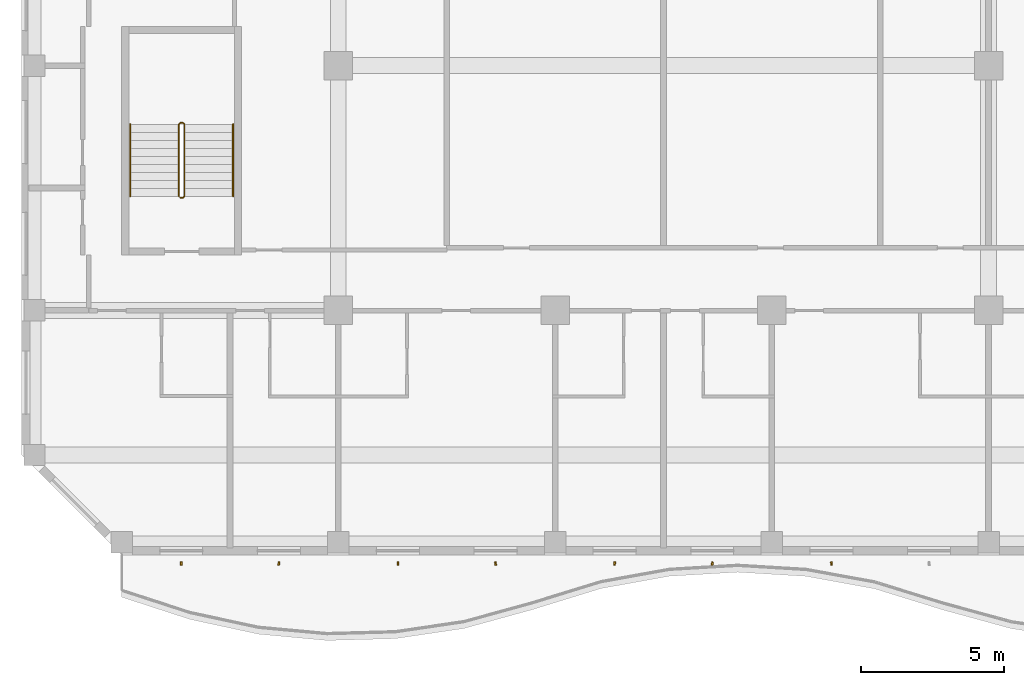
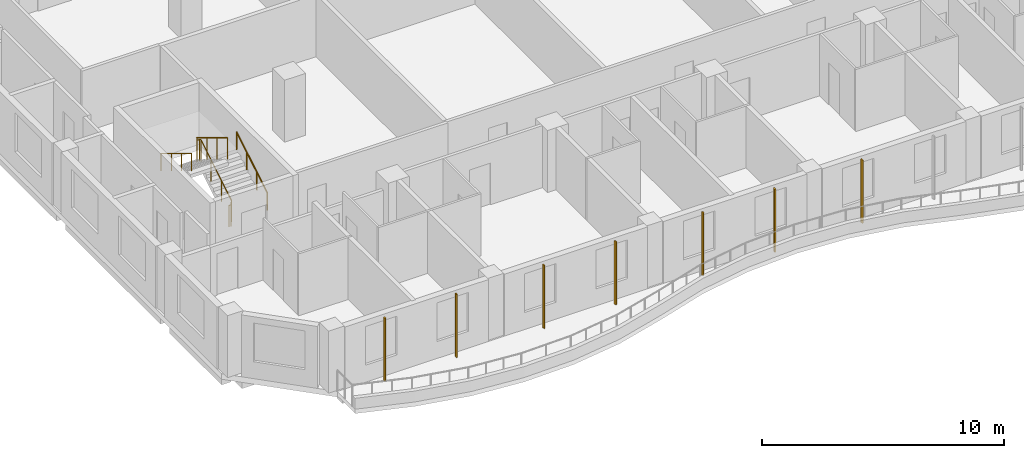
# One storey, part 14 of 22: 7 shading devices, 3 railings.
"""IFC4 building model written with IfcOpenShell, lengths in metres."""

import ifcopenshell
import ifcopenshell.guid

model = None  # the IFC model being written
_history = None  # IfcOwnerHistory: only IFC2X3 demands one
_inside = {}  # id of a spatial element -> (the spatial element, [elements in it])
_under = {}  # id of a project, library or spatial element -> (it, [spatial elements below it])
_declared = {}  # id of a project -> (the project, [libraries it declares])
_typed = {}  # id of a type object -> (the type object, [elements of that type])
_made_of = {}  # id of a material, layer set ... -> (it, [elements and type objects made of it])


def new_model(schema):
    """Start an empty IFC model of exactly this schema.

    Asked for "IFC4X3", IfcOpenShell would pick the latest addendum, in which some entities
    have other attributes; the version numbers below select the first issue.
    IFC2X3 requires an IfcOwnerHistory on every rooted entity: one is made here for all.
    """
    global model, _history
    if schema == "IFC4X3":
        model = ifcopenshell.file(schema_version=(4, 3, 0, 0))
    else:
        model = ifcopenshell.file(schema=schema)
    _inside.clear()
    _under.clear()
    _declared.clear()
    _typed.clear()
    _made_of.clear()
    _history = None
    if model.schema == "IFC2X3":
        org = make("IfcOrganization", Name="unknown")
        user = make(
            "IfcPersonAndOrganization",
            ThePerson=make("IfcPerson", FamilyName="unknown"),
            TheOrganization=org,
        )
        app = make(
            "IfcApplication",
            ApplicationDeveloper=org,
            Version="unknown",
            ApplicationFullName="unknown",
            ApplicationIdentifier="unknown",
        )
        _history = make(
            "IfcOwnerHistory",
            OwningUser=user,
            OwningApplication=app,
            ChangeAction="ADDED",
            CreationDate=0,
        )
    return model


def make(cls, **values):
    """One entity of the class cls with the attributes given. An attribute that is None is left unset."""
    return model.create_entity(
        cls, **{name: value for name, value in values.items() if value is not None}
    )


def rooted(cls, **values):
    """An entity with a GlobalId (a new one), such as an element, a storey or a relation."""
    return make(cls, GlobalId=ifcopenshell.guid.new(), OwnerHistory=_history, **values)


def si_unit(unit_type, name, prefix=None):
    """IfcSIUnit, for example si_unit("LENGTHUNIT", "METRE", prefix="MILLI")."""
    return make("IfcSIUnit", UnitType=unit_type, Prefix=prefix, Name=name)


def assignment(units):
    """IfcUnitAssignment: the units of a project."""
    return None if units is None else make("IfcUnitAssignment", Units=units)


def point(xyz):
    """IfcCartesianPoint."""
    return None if xyz is None else make("IfcCartesianPoint", Coordinates=xyz)


def direction(xyz):
    """IfcDirection."""
    return None if xyz is None else make("IfcDirection", DirectionRatios=xyz)


def frame(location, z_axis=None, x_axis=None):
    """IfcAxis2Placement3D, a coordinate frame: its origin and axes. An axis left out is left unset."""
    return make(
        "IfcAxis2Placement3D",
        Location=point(location),
        Axis=direction(z_axis),
        RefDirection=direction(x_axis),
    )


def frame_2d(location, x_axis=None):
    """IfcAxis2Placement2D, a coordinate frame in the plane: its origin and x axis."""
    return make(
        "IfcAxis2Placement2D", Location=point(location), RefDirection=direction(x_axis)
    )


def origin():
    """The frame at (0, 0, 0) with its axes left unset."""
    return frame((0.0, 0.0, 0.0))


def origin_2d():
    """The frame at (0, 0) in the plane with its x axis left unset."""
    return frame_2d((0.0, 0.0))


def place(relative_to, where):
    """IfcLocalPlacement: puts the frame where relative to a parent placement (None: the world)."""
    return make(
        "IfcLocalPlacement", PlacementRelTo=relative_to, RelativePlacement=where
    )


def context(
    kind, dimensions, precision=None, world=None, true_north=None, identifier=None
):
    """IfcGeometricRepresentationContext, for example the 3D "Model" context."""
    return make(
        "IfcGeometricRepresentationContext",
        ContextIdentifier=identifier,
        ContextType=kind,
        CoordinateSpaceDimension=dimensions,
        Precision=precision,
        WorldCoordinateSystem=world,
        TrueNorth=true_north,
    )


def subcontext(parent, identifier, kind, view, scale=None):
    """IfcGeometricRepresentationSubContext, for example "Body" below "Model"."""
    return make(
        "IfcGeometricRepresentationSubContext",
        ContextIdentifier=identifier,
        ContextType=kind,
        ParentContext=parent,
        TargetScale=scale,
        TargetView=view,
    )


def project(units=None, contexts=None):
    """IfcProject with its units and contexts."""
    return rooted(
        "IfcProject",
        Name="project",
        RepresentationContexts=contexts,
        UnitsInContext=assignment(units),
    )


def spatial(cls, under=None, at=None, **own):
    """A site, building, storey or space (cls), placed at a placement, below another one or the project."""
    s = rooted(cls, ObjectPlacement=at, **own)
    if under is not None:
        _under.setdefault(under.id(), (under, []))[1].append(s)
    return s


def profile(cls, at=None, kind="AREA", **sizes):
    """A parametric profile (cls). Its sizes go by their IFC names, for example OverallWidth=200.0."""
    return make(cls, ProfileType=kind, Position=at, **sizes)


def rectangle(**sizes):
    """IfcRectangleProfileDef."""
    return profile("IfcRectangleProfileDef", **sizes)


def circle(**sizes):
    """IfcCircleProfileDef."""
    return profile("IfcCircleProfileDef", **sizes)


def extrude(swept, where, along, depth):
    """IfcExtrudedAreaSolid: the profile swept, set in the frame where, extruded along a direction by depth."""
    return make(
        "IfcExtrudedAreaSolid",
        SweptArea=swept,
        Position=where,
        ExtrudedDirection=direction(along),
        Depth=depth,
    )


def shape(context_of_items, identifier, shape_type, items):
    """IfcShapeRepresentation: the items that make up one representation, for example the "Body"."""
    return make(
        "IfcShapeRepresentation",
        ContextOfItems=context_of_items,
        RepresentationIdentifier=identifier,
        RepresentationType=shape_type,
        Items=items,
    )


def source(mapping_origin, context_of_items, identifier, shape_type, items):
    """IfcRepresentationMap: a shape defined once, which mapped items show again and again."""
    return make(
        "IfcRepresentationMap",
        MappingOrigin=mapping_origin,
        MappedRepresentation=shape(context_of_items, identifier, shape_type, items),
    )


def transform(
    local_origin,
    x_axis=None,
    y_axis=None,
    z_axis=None,
    scale=None,
    scale2=None,
    scale3=None,
    uniform=True,
):
    """IfcCartesianTransformationOperator3D, or its non-uniform kind. x_axis, y_axis, z_axis: its Axis1, 2, 3."""
    if uniform:
        return make(
            "IfcCartesianTransformationOperator3D",
            Axis1=direction(x_axis),
            Axis2=direction(y_axis),
            LocalOrigin=point(local_origin),
            Scale=scale,
            Axis3=direction(z_axis),
        )
    return make(
        "IfcCartesianTransformationOperator3DnonUniform",
        Axis1=direction(x_axis),
        Axis2=direction(y_axis),
        LocalOrigin=point(local_origin),
        Scale=scale,
        Axis3=direction(z_axis),
        Scale2=scale2,
        Scale3=scale3,
    )


def mapped(mapping_source, mapping_target):
    """IfcMappedItem: shows the shape of a source again, moved by a transform."""
    return make(
        "IfcMappedItem", MappingSource=mapping_source, MappingTarget=mapping_target
    )


def material(Name=None, Category=None):
    """IfcMaterial."""
    return make("IfcMaterial", Name=Name, Category=Category)


def material_profile(
    of_material, cross_section, Name=None, Category=None, Priority=None
):
    """IfcMaterialProfile: a cross section and its material."""
    return make(
        "IfcMaterialProfile",
        Name=Name,
        Material=of_material,
        Profile=cross_section,
        Priority=Priority,
        Category=Category,
    )


def profile_set(profiles, Name=None, composite=None):
    """IfcMaterialProfileSet."""
    return make(
        "IfcMaterialProfileSet",
        Name=Name,
        MaterialProfiles=profiles,
        CompositeProfile=composite,
    )


def made_of(thing, what):
    """Note that an element or type object is made of a material, layer set ...; save() writes the relation."""
    if what is not None:
        _made_of.setdefault(what.id(), (what, []))[1].append(thing)
    return thing


def type_object(cls, material=None, **own):
    """A type object (cls), such as IfcWallType, which elements share."""
    return made_of(rooted(cls, **own), material)


def element(
    cls,
    number,
    at=None,
    inside=None,
    cuts=None,
    type_object=None,
    material=None,
    context=None,
    identifier="Body",
    shape_type=None,
    held_by="IfcProductDefinitionShape",
    body=None,
    shapes=None,
    **own,
):
    """One element of the class cls, such as IfcWall. Its Tag is "e" and its number.

    at: its placement. inside: the storey or other place that contains it. cuts: it is an
    opening in that element (IfcRelVoidsElement). A single representation is given by context,
    identifier, shape_type and body (its items); several are given by shapes. held_by: the class
    of the entity that holds the representations. save() writes the other relations.
    """
    e = rooted(cls, Tag="e%d" % number, ObjectPlacement=at, **own)
    if body is not None:
        shapes = [shape(context, identifier, shape_type, body)]
    if shapes is not None:
        e.Representation = make(held_by, Representations=shapes)
    if inside is not None:
        _inside.setdefault(inside.id(), (inside, []))[1].append(e)
    if cuts is not None:
        rooted(
            "IfcRelVoidsElement", RelatingBuildingElement=cuts, RelatedOpeningElement=e
        )
    if type_object is not None:
        _typed.setdefault(type_object.id(), (type_object, []))[1].append(e)
    return made_of(e, material)


def aggregate(whole, parts):
    """IfcRelAggregates: a whole, such as a stair, and the parts it consists of."""
    return rooted("IfcRelAggregates", RelatingObject=whole, RelatedObjects=parts)


def save(model, path):
    """Write the relations noted so far, then the file.

    IfcRelAggregates (storeys below a building ...), IfcRelContainedInSpatialStructure (elements
    in a storey), IfcRelDefinesByType, IfcRelAssociatesMaterial and IfcRelDeclares: one each for
    every whole, place, type object, material and project.
    """
    for whole, parts in _under.values():
        aggregate(whole, parts)
    for where, things in _inside.values():
        rooted(
            "IfcRelContainedInSpatialStructure",
            RelatedElements=things,
            RelatingStructure=where,
        )
    for kind, things in _typed.values():
        rooted("IfcRelDefinesByType", RelatedObjects=things, RelatingType=kind)
    for what, things in _made_of.values():
        rooted("IfcRelAssociatesMaterial", RelatedObjects=things, RelatingMaterial=what)
    for by, libraries in _declared.values():
        rooted("IfcRelDeclares", RelatingContext=by, RelatedDefinitions=libraries)
    model.write(path)


model = new_model("IFC4")

# Units and contexts
model_context = context("Model", 3, precision=1e-05, world=origin(), true_north=direction((0.0, 1.0)))
body_context = subcontext(model_context, "Body", "Model", "MODEL_VIEW")
ifc_project = project(units=[si_unit("LENGTHUNIT", "METRE"), si_unit("AREAUNIT", "SQUARE_METRE"), si_unit("VOLUMEUNIT", "CUBIC_METRE"), si_unit("PLANEANGLEUNIT", "RADIAN"), si_unit("MASSUNIT", "GRAM", prefix="KILO")], contexts=[model_context])

# Site, building, storey
site_placement = place(None, origin())
site = spatial("IfcSite", under=ifc_project, at=site_placement, CompositionType="ELEMENT")
building_placement = place(site_placement, origin())
building = spatial("IfcBuilding", under=site, at=building_placement, Name="Kilnfold Tower and Market Hall", CompositionType="ELEMENT")
storey_placement = place(building_placement, frame((0.0, 0.0, 213.5)))
storey = spatial("IfcBuildingStorey", under=building, at=storey_placement, Name="L52", CompositionType="ELEMENT", Elevation=213.5)

# Railings
ifc_material_1 = material(Name="Stainless steel 316", Category="steel")
railing_type_1 = type_object("IfcRailingType", Name="CORE STAIR GUARD 1100", PredefinedType="GUARDRAIL", material=ifc_material_1)
railing_1_placement = place(storey_placement, frame((-15.699951171875, -13.75, 0.0)))
element("IfcRailing", 1, at=railing_1_placement, inside=storey, type_object=railing_type_1, Name="L52 ST3 stair guard 1", PredefinedType="GUARDRAIL", context=body_context, shape_type="SweptSolid", body=[
    extrude(circle(Radius=0.02392578125, at=origin_2d()), frame((0.0, 0.0, 1.076171875), z_axis=(1.0, 0.0, 0.0), x_axis=(0.0, 1.0, 0.0)), (0.0, 0.0, 1.0), 0.099853515625),
    extrude(circle(Radius=0.02392578125, at=origin_2d()), frame((0.099853515625, 0.0, 1.076171875), z_axis=(0.271895245746, 0.271895245746, 0.923117517265), x_axis=(-0.707106781187, 0.707106781187, 0.0)), (0.0, 0.0, 1.0), 0.18408203125),
    extrude(circle(Radius=0.02392578125, at=origin_2d()), frame((0.14990234375, 0.050048828125, 1.24609375), z_axis=(0.0, 0.85478489116, 0.518982456201), x_axis=(-1.0, 0.0, 0.0)), (0.0, 0.0, 1.0), 2.9482421875),
    extrude(circle(Radius=0.02392578125, at=origin_2d()), frame((0.14990234375, 2.570068359375, 2.77587890625), z_axis=(-0.707106781187, 0.707106781187, 0.0), x_axis=(-0.707106781187, -0.707106781187, 0.0)), (0.0, 0.0, 1.0), 0.07080078125),
    extrude(circle(Radius=0.02392578125, at=origin_2d()), frame((0.099853515625, 2.6201171875, 2.77587890625), z_axis=(-1.0, 0.0, 0.0), x_axis=(0.0, -1.0, 0.0)), (0.0, 0.0, 1.0), 0.099853515625),
    extrude(circle(Radius=0.02392578125, at=origin_2d()), frame((0.0, 2.6201171875, 2.77587890625), z_axis=(-0.271562723297, -0.271562723297, 0.923313259209), x_axis=(0.707106781187, -0.707106781187, 0.0)), (0.0, 0.0, 1.0), 0.184326171875),
    extrude(circle(Radius=0.02392578125, at=origin_2d()), frame((-0.050048828125, 2.570068359375, 2.9462890625), z_axis=(0.0, -0.854821627497, 0.518921945155), x_axis=(1.0, 0.0, 0.0)), (0.0, 0.0, 1.0), 2.947998046875),
    extrude(circle(Radius=0.02099609375, at=origin_2d()), origin(), (0.0, 0.0, 1.0), 1.052001953125),
    extrude(circle(Radius=0.02099609375, at=origin_2d()), frame((0.099853515625, 0.0, 0.0)), (0.0, 0.0, 1.0), 1.052001953125),
    extrude(circle(Radius=0.02099609375, at=origin_2d()), frame((0.14990234375, 0.050048828125, 0.169921875)), (0.0, 0.0, 1.0), 1.052001953125),
    extrude(circle(Radius=0.02099609375, at=origin_2d()), frame((0.14990234375, 0.89013671875, 0.679931640625)), (0.0, 0.0, 1.0), 1.052001953125),
    extrude(circle(Radius=0.02099609375, at=origin_2d()), frame((0.14990234375, 1.72998046875, 1.18994140625)), (0.0, 0.0, 1.0), 1.052001953125),
    extrude(circle(Radius=0.02099609375, at=origin_2d()), frame((0.14990234375, 2.570068359375, 1.699951171875)), (0.0, 0.0, 1.0), 1.052001953125),
    extrude(circle(Radius=0.02099609375, at=origin_2d()), frame((0.099853515625, 2.6201171875, 1.699951171875)), (0.0, 0.0, 1.0), 1.052001953125),
    extrude(circle(Radius=0.02099609375, at=origin_2d()), frame((0.0, 2.6201171875, 1.699951171875)), (0.0, 0.0, 1.0), 1.052001953125),
    extrude(circle(Radius=0.02099609375, at=origin_2d()), frame((-0.050048828125, 2.570068359375, 1.8701171875)), (0.0, 0.0, 1.0), 1.052001953125),
    extrude(circle(Radius=0.02099609375, at=origin_2d()), frame((-0.050048828125, 1.72998046875, 2.380126953125)), (0.0, 0.0, 1.0), 1.052001953125),
    extrude(circle(Radius=0.02099609375, at=origin_2d()), frame((-0.050048828125, 0.89013671875, 2.889892578125)), (0.0, 0.0, 1.0), 1.052001953125),
    extrude(circle(Radius=0.02099609375, at=origin_2d()), frame((-0.050048828125, 0.050048828125, 3.39990234375)), (0.0, 0.0, 1.0), 1.052001953125),
])
ifc_material_2 = material(Name="Stainless steel 316", Category="steel")
railing_type_2 = type_object("IfcRailingType", Name="CORE STAIR HANDRAIL 900", PredefinedType="HANDRAIL", material=ifc_material_2)
railing_2_placement = place(storey_placement, frame((-13.85009765625, -13.699951171875, 0.169921875)))
element("IfcRailing", 2, at=railing_2_placement, inside=storey, type_object=railing_type_2, Name="L52 ST3 stair handrail 1", PredefinedType="HANDRAIL", context=body_context, shape_type="SweptSolid", body=[
    extrude(circle(Radius=0.02392578125, at=origin_2d()), frame((0.0, 0.0, 0.8759765625), z_axis=(0.0, 0.85478489116, 0.518982456201), x_axis=(-1.0, 0.0, 0.0)), (0.0, 0.0, 1.0), 2.9482421875),
    extrude(circle(Radius=0.02099609375, at=origin_2d()), origin(), (0.0, 0.0, 1.0), 0.851806640625),
    extrude(circle(Radius=0.02099609375, at=origin_2d()), frame((0.0, 0.840087890625, 0.510009765625)), (0.0, 0.0, 1.0), 0.851806640625),
    extrude(circle(Radius=0.02099609375, at=origin_2d()), frame((0.0, 1.679931640625, 1.02001953125)), (0.0, 0.0, 1.0), 0.851806640625),
    extrude(circle(Radius=0.02099609375, at=origin_2d()), frame((0.0, 2.52001953125, 1.530029296875)), (0.0, 0.0, 1.0), 0.851806640625),
])
railing_3_placement = place(storey_placement, frame((-17.449951171875, -11.179931640625, 1.8701171875)))
element("IfcRailing", 3, at=railing_3_placement, inside=storey, type_object=railing_type_2, Name="L52 ST3 stair handrail 2", PredefinedType="HANDRAIL", context=body_context, shape_type="SweptSolid", body=[
    extrude(circle(Radius=0.02392578125, at=origin_2d()), frame((0.0, 0.0, 0.8759765625), z_axis=(0.0, -0.854821627497, 0.518921945155), x_axis=(1.0, 0.0, 0.0)), (0.0, 0.0, 1.0), 2.947998046875),
    extrude(circle(Radius=0.02099609375, at=origin_2d()), origin(), (0.0, 0.0, 1.0), 0.851806640625),
    extrude(circle(Radius=0.02099609375, at=origin_2d()), frame((0.0, -0.840087890625, 0.510009765625)), (0.0, 0.0, 1.0), 0.851806640625),
    extrude(circle(Radius=0.02099609375, at=origin_2d()), frame((0.0, -1.679931640625, 1.019775390625)), (0.0, 0.0, 1.0), 0.851806640625),
    extrude(circle(Radius=0.02099609375, at=origin_2d()), frame((0.0, -2.52001953125, 1.52978515625)), (0.0, 0.0, 1.0), 0.851806640625),
])

# Shading devices
ifc_material_3 = material(Name="Terracotta", Category="masonry")
ifc_material_profile = material_profile(ifc_material_3, rectangle(XDim=0.06005859375, YDim=0.1201171875, at=origin_2d()), Name="BAG 60x120")
ifc_profile_set = profile_set([ifc_material_profile], Name="Terracotta")
shading_device_type = type_object("IfcShadingDeviceType", Name="BAGUETTE", PredefinedType="USERDEFINED", material=ifc_profile_set)
shared_shape = source(origin(), body_context, "Body", "SweptSolid", [
    extrude(rectangle(XDim=0.06005859375, YDim=0.1201171875, at=origin_2d()), origin(), (0.0, 0.0, 1.0), 3.179931640625),
])
for number, where, z_axis, x_axis, name in (
    (4, (-15.666748046875, -26.550048828125, 0.0), (0.0, 0.0, 1.0), (0.999967547064, 0.008056352675, 0.0), "Terracotta baguette L52 S"),
    (5, (-12.25, -26.550048828125, 0.0), (0.0, 0.0, 1.0), (0.990355801931, -0.138547412758, 0.0), "Terracotta baguette L52 S"),
    (6, (-8.083251953125, -26.550048828125, 0.0), (0.0, 0.0, 1.0), (0.99959976471, 0.028289757713, 0.0), "Terracotta baguette L52 S"),
    (7, (-4.666748046875, -26.550048828125, 0.0), (0.0, 0.0, 1.0), (0.990535353328, 0.137257836961, 0.0), "Terracotta baguette L52 S"),
    (8, (-0.5, -26.550048828125, 0.0), (0.0, 0.0, 1.0), (0.998033845364, -0.062677296585, 0.0), "Terracotta baguette L52 S"),
    (9, (2.916748046875, -26.550048828125, 0.0), (0.0, 0.0, 1.0), (0.991945590747, -0.126664695154, 0.0), "Terracotta baguette L52 S"),
    (10, (7.083251953125, -26.550048828125, 0.0), (0.0, 0.0, 1.0), (0.995690775716, 0.092735533397, 0.0), "Terracotta baguette L52 S"),
):
    element("IfcShadingDevice", number, at=place(storey_placement, frame(where, z_axis=z_axis, x_axis=x_axis)), inside=storey, type_object=shading_device_type, Name=name, ObjectType="BAGUETTE", PredefinedType="USERDEFINED", context=body_context, shape_type="MappedRepresentation", body=[
        mapped(shared_shape, transform((0.0, 0.0, 0.0))),
    ])

save(model, "model.ifc")
